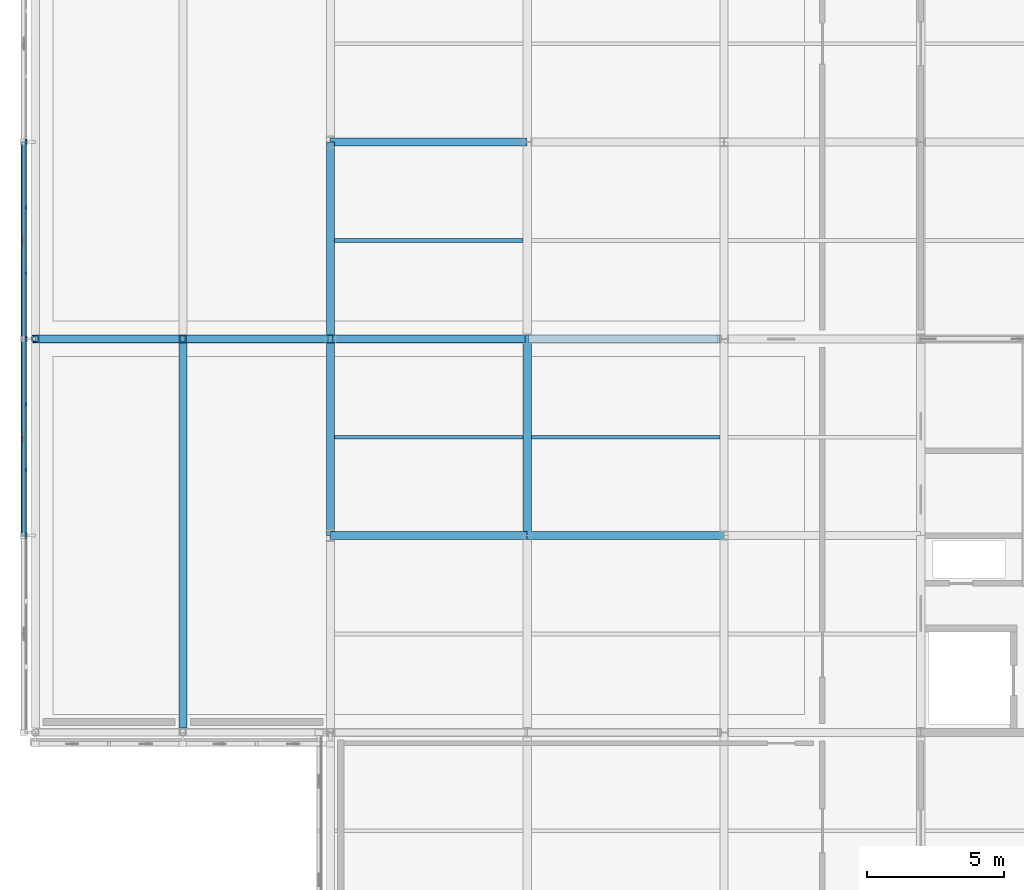
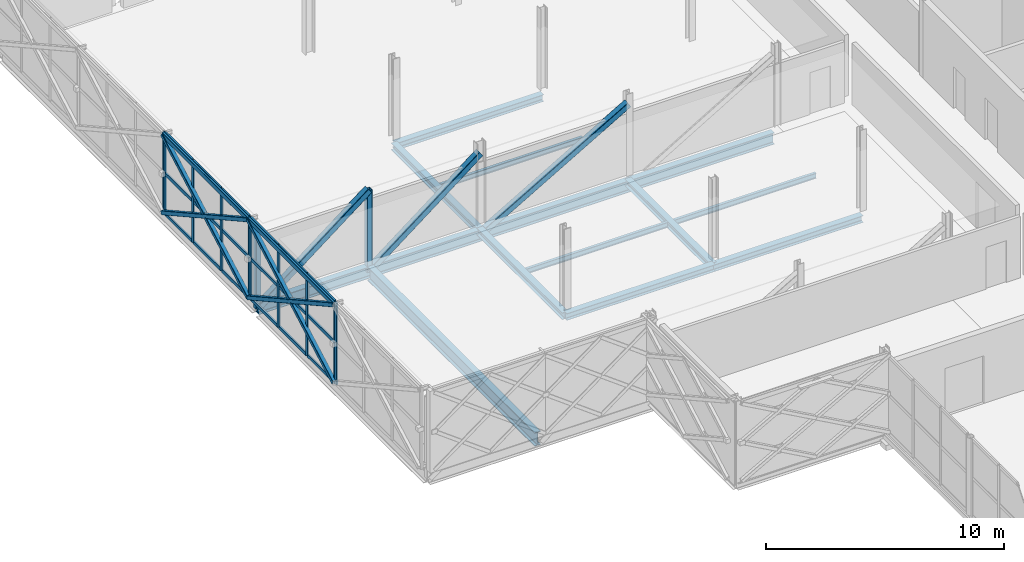
# One storey, part 40 of 126: 41 members, 11 beams, 4 elements without a shape of their own.
"""IFC4 building model written with IfcOpenShell, lengths in metres."""

from ifc_helpers import new_model, si_unit, direction, frame, origin, origin_2d, place, context, subcontext, project, spatial, rectangle, hollow_rectangle, i_section, extrude, material, material_profile, profile_set, type_object, element, aggregate, save


model = new_model("IFC4")

# Units and contexts
model_context = context("Model", 3, precision=1e-05, world=origin(), true_north=direction((0.0, 1.0)))
body_context = subcontext(model_context, "Body", "Model", "MODEL_VIEW")
ifc_project = project(units=[si_unit("LENGTHUNIT", "METRE"), si_unit("AREAUNIT", "SQUARE_METRE"), si_unit("VOLUMEUNIT", "CUBIC_METRE"), si_unit("PLANEANGLEUNIT", "RADIAN"), si_unit("MASSUNIT", "GRAM", prefix="KILO")], contexts=[model_context])

# Site, building, storey
site_placement = place(None, origin())
site = spatial("IfcSite", under=ifc_project, at=site_placement, CompositionType="ELEMENT")
building_placement = place(site_placement, origin())
building = spatial("IfcBuilding", under=site, at=building_placement, Name="Zlatovets Crest Museum", CompositionType="ELEMENT")
storey_placement = place(building_placement, frame((0.0, 0.0, 8.699951171875)))
storey = spatial("IfcBuildingStorey", under=building, at=storey_placement, Name="L02", CompositionType="ELEMENT", Elevation=8.699951171875)

# Beams
ifc_material_1 = material(Name="Structural steel S355J2", Category="steel")
ifc_material_profile_1 = material_profile(ifc_material_1, i_section(OverallWidth=0.300048828125, OverallDepth=0.35009765625, WebThickness=0.010009765625, FlangeThickness=0.017578125, FilletRadius=0.027099609375, at=origin_2d()), Name="HEA 360")
ifc_profile_set_1 = profile_set([ifc_material_profile_1], Name="Structural steel S355J2")
beam_type_1 = type_object("IfcBeamType", Name="Beam_B-03", PredefinedType="BEAM", material=ifc_profile_set_1)
beam_1_placement = place(storey_placement, frame((7.199951171875, 64.800048828125, -0.39501953125), z_axis=(1.0, 0.0, 0.0), x_axis=(0.0, 1.0, 0.0)))
element("IfcBeam", 1, at=beam_1_placement, inside=storey, type_object=beam_type_1, Name="V4 L02 Primary Girder B-03", PredefinedType="BEAM", context=body_context, shape_type="SweptSolid", body=[
    extrude(i_section(OverallWidth=0.300048828125, OverallDepth=0.35009765625, WebThickness=0.010009765625, FlangeThickness=0.017578125, FilletRadius=0.027099609375, at=origin_2d()), origin(), (0.0, 0.0, 1.0), 7.199951171875),
])
beam_2_placement = place(storey_placement, frame((14.39990234375, 64.800048828125, -0.39501953125), z_axis=(1.0, 0.0, 0.0), x_axis=(0.0, 1.0, 0.0)))
element("IfcBeam", 2, at=beam_2_placement, inside=storey, type_object=beam_type_1, Name="V4 L02 Primary Girder B-03", PredefinedType="BEAM", context=body_context, shape_type="SweptSolid", body=[
    extrude(i_section(OverallWidth=0.300048828125, OverallDepth=0.35009765625, WebThickness=0.010009765625, FlangeThickness=0.017578125, FilletRadius=0.027099609375, at=origin_2d()), origin(), (0.0, 0.0, 1.0), 7.2001953125),
])
for number, where, z_axis, x_axis, name in (
    (3, (7.199951171875, 79.199951171875, -0.39501953125), (1.0, 0.0, 0.0), (0.0, 1.0, 0.0), "V4 L02 Primary Girder B-03"),
    (4, (7.199951171875, 64.800048828125, -0.39501953125), (0.0, 1.0, 0.0), (-1.0, 0.0, 0.0), "V4 L02 Grid Beam B-03"),
    (5, (7.199951171875, 72.0, -0.39501953125), (0.0, 1.0, 0.0), (-1.0, 0.0, 0.0), "V4 L02 Grid Beam B-03"),
    (6, (14.39990234375, 64.800048828125, -0.39501953125), (0.0, 1.0, 0.0), (-1.0, 0.0, 0.0), "V4 L02 Grid Beam B-03"),
):
    element("IfcBeam", number, at=place(storey_placement, frame(where, z_axis=z_axis, x_axis=x_axis)), inside=storey, type_object=beam_type_1, Name=name, PredefinedType="BEAM", context=body_context, shape_type="SweptSolid", body=[
        extrude(i_section(OverallWidth=0.300048828125, OverallDepth=0.35009765625, WebThickness=0.010009765625, FlangeThickness=0.017578125, FilletRadius=0.027099609375, at=origin_2d()), origin(), (0.0, 0.0, 1.0), 7.199951171875),
    ])
ifc_material_profile_2 = material_profile(ifc_material_1, i_section(OverallWidth=0.300048828125, OverallDepth=0.590087890625, WebThickness=0.012939453125, FlangeThickness=0.02490234375, FilletRadius=0.027099609375, at=origin_2d()), Name="HEA 600")
ifc_profile_set_2 = profile_set([ifc_material_profile_2], Name="Structural steel S355J2")
beam_type_2 = type_object("IfcBeamType", Name="Beam_B-07", PredefinedType="BEAM", material=ifc_profile_set_2)
beam_3_placement = place(storey_placement, frame((-3.60009765625, 72.0, -0.570068359375), z_axis=(1.0, 0.0, 0.0), x_axis=(0.0, 1.0, 0.0)))
element("IfcBeam", 7, at=beam_3_placement, inside=storey, type_object=beam_type_2, Name="Cantilever Transfer Truss TT-2 L02 Bottom Chord", PredefinedType="BEAM", context=body_context, shape_type="SweptSolid", body=[
    extrude(i_section(OverallWidth=0.300048828125, OverallDepth=0.590087890625, WebThickness=0.012939453125, FlangeThickness=0.02490234375, FilletRadius=0.027099609375, at=origin_2d()), origin(), (0.0, 0.0, 1.0), 25.0400390625),
])
ifc_material_profile_3 = material_profile(ifc_material_1, i_section(OverallWidth=0.300048828125, OverallDepth=0.699951171875, WebThickness=0.01708984375, FlangeThickness=0.031982421875, FilletRadius=0.027099609375, at=origin_2d()), Name="HEB 700")
ifc_profile_set_3 = profile_set([ifc_material_profile_3], Name="Structural steel S355J2")
beam_type_3 = type_object("IfcBeamType", Name="Beam_B-08", PredefinedType="BEAM", material=ifc_profile_set_3)
beam_4_placement = place(storey_placement, frame((1.800048828125, 57.760009765625, -0.570068359375), z_axis=(0.0, 1.0, 0.0), x_axis=(-1.0, 0.0, 0.0)))
element("IfcBeam", 8, at=beam_4_placement, inside=storey, type_object=beam_type_3, Name="Cantilever Gallery L02 Floor Beam B-08", PredefinedType="BEAM", context=body_context, shape_type="SweptSolid", body=[
    extrude(i_section(OverallWidth=0.300048828125, OverallDepth=0.699951171875, WebThickness=0.01708984375, FlangeThickness=0.031982421875, FilletRadius=0.027099609375, at=origin_2d()), origin(), (0.0, 0.0, 1.0), 14.080078125),
])
ifc_material_profile_4 = material_profile(ifc_material_1, i_section(OverallWidth=0.135009765625, OverallDepth=0.27001953125, WebThickness=0.006591796875, FlangeThickness=0.01025390625, FilletRadius=0.014892578125, at=origin_2d()), Name="IPE 270")
ifc_profile_set_4 = profile_set([ifc_material_profile_4], Name="Structural steel S355J2")
beam_type_4 = type_object("IfcBeamType", Name="Beam_J-03", PredefinedType="JOIST", material=ifc_profile_set_4)
for number, where, z_axis, x_axis, name in (
    (9, (7.35009765625, 68.39990234375, -0.35498046875), (1.0, 0.0, 0.0), (0.0, 1.0, 0.0), "V4 L02 Composite Joist J-03"),
    (10, (7.35009765625, 75.60009765625, -0.35498046875), (1.0, 0.0, 0.0), (0.0, 1.0, 0.0), "V4 L02 Composite Joist J-03"),
    (11, (14.550048828125, 68.39990234375, -0.35498046875), (1.0, 0.0, 0.0), (0.0, 1.0, 0.0), "V4 L02 Composite Joist J-03"),
):
    element("IfcBeam", number, at=place(storey_placement, frame(where, z_axis=z_axis, x_axis=x_axis)), inside=storey, type_object=beam_type_4, Name=name, PredefinedType="JOIST", context=body_context, shape_type="SweptSolid", body=[
        extrude(i_section(OverallWidth=0.135009765625, OverallDepth=0.27001953125, WebThickness=0.006591796875, FlangeThickness=0.01025390625, FilletRadius=0.014892578125, at=origin_2d()), origin(), (0.0, 0.0, 1.0), 6.89990234375),
    ])

# Curtain wall, member
ifc_material_2 = material(Name="Bronze-anodised aluminium and low-E triple glass", Category="aluminium")
curtain_wall_type_1 = type_object("IfcCurtainWallType", Name="CW_CW-V4-L02-M3", PredefinedType="NOTDEFINED", material=ifc_material_2)
curtain_wall_1_placement = place(storey_placement, origin())
curtain_wall_1 = element("IfcCurtainWall", 12, at=curtain_wall_1_placement, inside=storey, type_object=curtain_wall_type_1, Name="V4 L02 Secession Foyer Clear Curtain Wall", PredefinedType="NOTDEFINED")
ifc_material_3 = material(Name="Bronze-anodised aluminium EN AW-6060", Category="aluminium")
ifc_material_profile_5 = material_profile(ifc_material_3, rectangle(XDim=0.080078125, YDim=0.159912109375, at=origin_2d()), Name="ALU 80x160")
ifc_profile_set_5 = profile_set([ifc_material_profile_5], Name="Bronze-anodised aluminium EN AW-6060")
member_type_1 = type_object("IfcMemberType", Name="CWMull_M1", PredefinedType="MULLION", material=ifc_profile_set_5)
member_1_placement = place(storey_placement, frame((-3.93994140625, 79.22998046875, 0.0), z_axis=(0.0, 0.0, 1.0), x_axis=(1.0, 0.0, 0.0)))
member_1 = element("IfcMember", 13, at=member_1_placement, type_object=member_type_1, Name="CW-V4-L02-M3 mullion 4", PredefinedType="MULLION", context=body_context, shape_type="SweptSolid", body=[
    extrude(rectangle(XDim=0.080078125, YDim=0.159912109375, at=origin_2d()), origin(), (0.0, 0.0, 1.0), 4.199951171875),
])
aggregate(curtain_wall_1, [member_1])

# Curtain wall, members
curtain_wall_type_2 = type_object("IfcCurtainWallType", Name="CW_CW-V4-L02-M0", PredefinedType="NOTDEFINED", material=ifc_material_2)
curtain_wall_2_placement = place(storey_placement, origin())
curtain_wall_2 = element("IfcCurtainWall", 14, at=curtain_wall_2_placement, inside=storey, type_object=curtain_wall_type_2, Name="V4 L02 Secession Foyer Clear Curtain Wall", PredefinedType="NOTDEFINED")
member_2_placement = place(storey_placement, frame((-3.93994140625, 79.169921875, 0.0), z_axis=(0.0, 0.0, 1.0), x_axis=(1.0, 0.0, 0.0)))
member_2 = element("IfcMember", 15, at=member_2_placement, type_object=member_type_1, Name="CW-V4-L02-M0 mullion 1", PredefinedType="MULLION", context=body_context, shape_type="SweptSolid", body=[
    extrude(rectangle(XDim=0.080078125, YDim=0.159912109375, at=origin_2d()), origin(), (0.0, 0.0, 1.0), 4.199951171875),
])
member_3_placement = place(storey_placement, frame((-3.93994140625, 76.800048828125, 0.0), z_axis=(0.0, 0.0, 1.0), x_axis=(1.0, 0.0, 0.0)))
member_3 = element("IfcMember", 16, at=member_3_placement, type_object=member_type_1, Name="CW-V4-L02-M0 mullion 2", PredefinedType="MULLION", context=body_context, shape_type="SweptSolid", body=[
    extrude(rectangle(XDim=0.080078125, YDim=0.159912109375, at=origin_2d()), origin(), (0.0, 0.0, 1.0), 4.199951171875),
])
member_4_placement = place(storey_placement, frame((-3.93994140625, 74.39990234375, 0.0), z_axis=(0.0, 0.0, 1.0), x_axis=(1.0, 0.0, 0.0)))
member_4 = element("IfcMember", 17, at=member_4_placement, type_object=member_type_1, Name="CW-V4-L02-M0 mullion 3", PredefinedType="MULLION", context=body_context, shape_type="SweptSolid", body=[
    extrude(rectangle(XDim=0.080078125, YDim=0.159912109375, at=origin_2d()), origin(), (0.0, 0.0, 1.0), 4.199951171875),
])
member_5_placement = place(storey_placement, frame((-3.93994140625, 72.030029296875, 0.0), z_axis=(0.0, 0.0, 1.0), x_axis=(1.0, 0.0, 0.0)))
member_5 = element("IfcMember", 18, at=member_5_placement, type_object=member_type_1, Name="CW-V4-L02-M0 mullion 4", PredefinedType="MULLION", context=body_context, shape_type="SweptSolid", body=[
    extrude(rectangle(XDim=0.080078125, YDim=0.159912109375, at=origin_2d()), origin(), (0.0, 0.0, 1.0), 4.199951171875),
])

curtain_wall_type_3 = type_object("IfcCurtainWallType", Name="CW_CW-V4-L02-M1", PredefinedType="NOTDEFINED", material=ifc_material_2)
curtain_wall_3_placement = place(storey_placement, origin())
curtain_wall_3 = element("IfcCurtainWall", 19, at=curtain_wall_3_placement, inside=storey, type_object=curtain_wall_type_3, Name="V4 L02 Secession Foyer Clear Curtain Wall", PredefinedType="NOTDEFINED")
member_6_placement = place(storey_placement, frame((-3.93994140625, 71.969970703125, 0.0), z_axis=(0.0, 0.0, 1.0), x_axis=(1.0, 0.0, 0.0)))
member_6 = element("IfcMember", 20, at=member_6_placement, type_object=member_type_1, Name="CW-V4-L02-M1 mullion 1", PredefinedType="MULLION", context=body_context, shape_type="SweptSolid", body=[
    extrude(rectangle(XDim=0.080078125, YDim=0.159912109375, at=origin_2d()), origin(), (0.0, 0.0, 1.0), 4.199951171875),
])
member_7_placement = place(storey_placement, frame((-3.93994140625, 69.60009765625, 0.0), z_axis=(0.0, 0.0, 1.0), x_axis=(1.0, 0.0, 0.0)))
member_7 = element("IfcMember", 21, at=member_7_placement, type_object=member_type_1, Name="CW-V4-L02-M1 mullion 2", PredefinedType="MULLION", context=body_context, shape_type="SweptSolid", body=[
    extrude(rectangle(XDim=0.080078125, YDim=0.159912109375, at=origin_2d()), origin(), (0.0, 0.0, 1.0), 4.199951171875),
])
member_8_placement = place(storey_placement, frame((-3.93994140625, 67.199951171875, 0.0), z_axis=(0.0, 0.0, 1.0), x_axis=(1.0, 0.0, 0.0)))
member_8 = element("IfcMember", 22, at=member_8_placement, type_object=member_type_1, Name="CW-V4-L02-M1 mullion 3", PredefinedType="MULLION", context=body_context, shape_type="SweptSolid", body=[
    extrude(rectangle(XDim=0.080078125, YDim=0.159912109375, at=origin_2d()), origin(), (0.0, 0.0, 1.0), 4.199951171875),
])
member_9_placement = place(storey_placement, frame((-3.93994140625, 64.830078125, 0.0), z_axis=(0.0, 0.0, 1.0), x_axis=(1.0, 0.0, 0.0)))
member_9 = element("IfcMember", 23, at=member_9_placement, type_object=member_type_1, Name="CW-V4-L02-M1 mullion 4", PredefinedType="MULLION", context=body_context, shape_type="SweptSolid", body=[
    extrude(rectangle(XDim=0.080078125, YDim=0.159912109375, at=origin_2d()), origin(), (0.0, 0.0, 1.0), 4.199951171875),
])

# Curtain wall, member
curtain_wall_type_4 = type_object("IfcCurtainWallType", Name="CW_CW-V4-L02-M2", PredefinedType="NOTDEFINED", material=ifc_material_2)
curtain_wall_4_placement = place(storey_placement, origin())
curtain_wall_4 = element("IfcCurtainWall", 24, at=curtain_wall_4_placement, inside=storey, type_object=curtain_wall_type_4, Name="V4 L02 Secession Foyer Clear Curtain Wall", PredefinedType="NOTDEFINED")
member_10_placement = place(storey_placement, frame((-3.93994140625, 64.77001953125, 0.0), z_axis=(0.0, 0.0, 1.0), x_axis=(1.0, 0.0, 0.0)))
member_10 = element("IfcMember", 25, at=member_10_placement, type_object=member_type_1, Name="CW-V4-L02-M2 mullion 1", PredefinedType="MULLION", context=body_context, shape_type="SweptSolid", body=[
    extrude(rectangle(XDim=0.080078125, YDim=0.159912109375, at=origin_2d()), origin(), (0.0, 0.0, 1.0), 4.199951171875),
])
aggregate(curtain_wall_4, [member_10])

# Member
ifc_material_profile_6 = material_profile(ifc_material_3, rectangle(XDim=0.080078125, YDim=0.159912109375, at=origin_2d()), Name="ALU 80x160")
ifc_profile_set_6 = profile_set([ifc_material_profile_6], Name="Bronze-anodised aluminium EN AW-6060")
member_type_2 = type_object("IfcMemberType", Name="CWTrans_T1", PredefinedType="USERDEFINED", material=ifc_profile_set_6)
member_11_placement = place(storey_placement, frame((-3.93994140625, 79.139892578125, 0.030029296875), z_axis=(0.0, -1.0, 0.0), x_axis=(1.0, 0.0, 0.0)))
member_11 = element("IfcMember", 26, at=member_11_placement, type_object=member_type_2, Name="CW-V4-L02-M0 transom 1.1", ObjectType="TRANSOM", PredefinedType="USERDEFINED", context=body_context, shape_type="SweptSolid", body=[
    extrude(rectangle(XDim=0.080078125, YDim=0.159912109375, at=origin_2d()), origin(), (0.0, 0.0, 1.0), 2.309814453125),
])

member_12_placement = place(storey_placement, frame((-3.93994140625, 79.139892578125, 2.10009765625), z_axis=(0.0, -1.0, 0.0), x_axis=(1.0, 0.0, 0.0)))
member_12 = element("IfcMember", 27, at=member_12_placement, type_object=member_type_2, Name="CW-V4-L02-M0 transom 1.2", ObjectType="TRANSOM", PredefinedType="USERDEFINED", context=body_context, shape_type="SweptSolid", body=[
    extrude(rectangle(XDim=0.080078125, YDim=0.159912109375, at=origin_2d()), origin(), (0.0, 0.0, 1.0), 2.309814453125),
])

member_13_placement = place(storey_placement, frame((-3.93994140625, 79.139892578125, 4.170166015625), z_axis=(0.0, -1.0, 0.0), x_axis=(1.0, 0.0, 0.0)))
member_13 = element("IfcMember", 28, at=member_13_placement, type_object=member_type_2, Name="CW-V4-L02-M0 transom 1.3", ObjectType="TRANSOM", PredefinedType="USERDEFINED", context=body_context, shape_type="SweptSolid", body=[
    extrude(rectangle(XDim=0.080078125, YDim=0.159912109375, at=origin_2d()), origin(), (0.0, 0.0, 1.0), 2.309814453125),
])

member_14_placement = place(storey_placement, frame((-3.93994140625, 76.77001953125, 0.030029296875), z_axis=(0.0, -1.0, 0.0), x_axis=(1.0, 0.0, 0.0)))
member_14 = element("IfcMember", 29, at=member_14_placement, type_object=member_type_2, Name="CW-V4-L02-M0 transom 2.1", ObjectType="TRANSOM", PredefinedType="USERDEFINED", context=body_context, shape_type="SweptSolid", body=[
    extrude(rectangle(XDim=0.080078125, YDim=0.159912109375, at=origin_2d()), origin(), (0.0, 0.0, 1.0), 2.340087890625),
])

member_15_placement = place(storey_placement, frame((-3.93994140625, 76.77001953125, 2.10009765625), z_axis=(0.0, -1.0, 0.0), x_axis=(1.0, 0.0, 0.0)))
member_15 = element("IfcMember", 30, at=member_15_placement, type_object=member_type_2, Name="CW-V4-L02-M0 transom 2.2", ObjectType="TRANSOM", PredefinedType="USERDEFINED", context=body_context, shape_type="SweptSolid", body=[
    extrude(rectangle(XDim=0.080078125, YDim=0.159912109375, at=origin_2d()), origin(), (0.0, 0.0, 1.0), 2.340087890625),
])

member_16_placement = place(storey_placement, frame((-3.93994140625, 76.77001953125, 4.170166015625), z_axis=(0.0, -1.0, 0.0), x_axis=(1.0, 0.0, 0.0)))
member_16 = element("IfcMember", 31, at=member_16_placement, type_object=member_type_2, Name="CW-V4-L02-M0 transom 2.3", ObjectType="TRANSOM", PredefinedType="USERDEFINED", context=body_context, shape_type="SweptSolid", body=[
    extrude(rectangle(XDim=0.080078125, YDim=0.159912109375, at=origin_2d()), origin(), (0.0, 0.0, 1.0), 2.340087890625),
])

member_17_placement = place(storey_placement, frame((-3.93994140625, 74.3701171875, 0.030029296875), z_axis=(0.0, -1.0, 0.0), x_axis=(1.0, 0.0, 0.0)))
member_17 = element("IfcMember", 32, at=member_17_placement, type_object=member_type_2, Name="CW-V4-L02-M0 transom 3.1", ObjectType="TRANSOM", PredefinedType="USERDEFINED", context=body_context, shape_type="SweptSolid", body=[
    extrude(rectangle(XDim=0.080078125, YDim=0.159912109375, at=origin_2d()), origin(), (0.0, 0.0, 1.0), 2.31005859375),
])

member_18_placement = place(storey_placement, frame((-3.93994140625, 74.3701171875, 2.10009765625), z_axis=(0.0, -1.0, 0.0), x_axis=(1.0, 0.0, 0.0)))
member_18 = element("IfcMember", 33, at=member_18_placement, type_object=member_type_2, Name="CW-V4-L02-M0 transom 3.2", ObjectType="TRANSOM", PredefinedType="USERDEFINED", context=body_context, shape_type="SweptSolid", body=[
    extrude(rectangle(XDim=0.080078125, YDim=0.159912109375, at=origin_2d()), origin(), (0.0, 0.0, 1.0), 2.31005859375),
])

member_19_placement = place(storey_placement, frame((-3.93994140625, 74.3701171875, 4.170166015625), z_axis=(0.0, -1.0, 0.0), x_axis=(1.0, 0.0, 0.0)))
member_19 = element("IfcMember", 34, at=member_19_placement, type_object=member_type_2, Name="CW-V4-L02-M0 transom 3.3", ObjectType="TRANSOM", PredefinedType="USERDEFINED", context=body_context, shape_type="SweptSolid", body=[
    extrude(rectangle(XDim=0.080078125, YDim=0.159912109375, at=origin_2d()), origin(), (0.0, 0.0, 1.0), 2.31005859375),
])

aggregate(curtain_wall_2, [member_2, member_3, member_4, member_5, member_11, member_12, member_13, member_14, member_15, member_16, member_17, member_18, member_19])

member_20_placement = place(storey_placement, frame((-3.93994140625, 71.93994140625, 0.030029296875), z_axis=(0.0, -1.0, 0.0), x_axis=(1.0, 0.0, 0.0)))
member_20 = element("IfcMember", 35, at=member_20_placement, type_object=member_type_2, Name="CW-V4-L02-M1 transom 1.1", ObjectType="TRANSOM", PredefinedType="USERDEFINED", context=body_context, shape_type="SweptSolid", body=[
    extrude(rectangle(XDim=0.080078125, YDim=0.159912109375, at=origin_2d()), origin(), (0.0, 0.0, 1.0), 2.31005859375),
])

member_21_placement = place(storey_placement, frame((-3.93994140625, 71.93994140625, 2.10009765625), z_axis=(0.0, -1.0, 0.0), x_axis=(1.0, 0.0, 0.0)))
member_21 = element("IfcMember", 36, at=member_21_placement, type_object=member_type_2, Name="CW-V4-L02-M1 transom 1.2", ObjectType="TRANSOM", PredefinedType="USERDEFINED", context=body_context, shape_type="SweptSolid", body=[
    extrude(rectangle(XDim=0.080078125, YDim=0.159912109375, at=origin_2d()), origin(), (0.0, 0.0, 1.0), 2.31005859375),
])

member_22_placement = place(storey_placement, frame((-3.93994140625, 71.93994140625, 4.170166015625), z_axis=(0.0, -1.0, 0.0), x_axis=(1.0, 0.0, 0.0)))
member_22 = element("IfcMember", 37, at=member_22_placement, type_object=member_type_2, Name="CW-V4-L02-M1 transom 1.3", ObjectType="TRANSOM", PredefinedType="USERDEFINED", context=body_context, shape_type="SweptSolid", body=[
    extrude(rectangle(XDim=0.080078125, YDim=0.159912109375, at=origin_2d()), origin(), (0.0, 0.0, 1.0), 2.31005859375),
])

member_23_placement = place(storey_placement, frame((-3.93994140625, 69.570068359375, 0.030029296875), z_axis=(0.0, -1.0, 0.0), x_axis=(1.0, 0.0, 0.0)))
member_23 = element("IfcMember", 38, at=member_23_placement, type_object=member_type_2, Name="CW-V4-L02-M1 transom 2.1", ObjectType="TRANSOM", PredefinedType="USERDEFINED", context=body_context, shape_type="SweptSolid", body=[
    extrude(rectangle(XDim=0.080078125, YDim=0.159912109375, at=origin_2d()), origin(), (0.0, 0.0, 1.0), 2.340087890625),
])

member_24_placement = place(storey_placement, frame((-3.93994140625, 69.570068359375, 2.10009765625), z_axis=(0.0, -1.0, 0.0), x_axis=(1.0, 0.0, 0.0)))
member_24 = element("IfcMember", 39, at=member_24_placement, type_object=member_type_2, Name="CW-V4-L02-M1 transom 2.2", ObjectType="TRANSOM", PredefinedType="USERDEFINED", context=body_context, shape_type="SweptSolid", body=[
    extrude(rectangle(XDim=0.080078125, YDim=0.159912109375, at=origin_2d()), origin(), (0.0, 0.0, 1.0), 2.340087890625),
])

member_25_placement = place(storey_placement, frame((-3.93994140625, 69.570068359375, 4.170166015625), z_axis=(0.0, -1.0, 0.0), x_axis=(1.0, 0.0, 0.0)))
member_25 = element("IfcMember", 40, at=member_25_placement, type_object=member_type_2, Name="CW-V4-L02-M1 transom 2.3", ObjectType="TRANSOM", PredefinedType="USERDEFINED", context=body_context, shape_type="SweptSolid", body=[
    extrude(rectangle(XDim=0.080078125, YDim=0.159912109375, at=origin_2d()), origin(), (0.0, 0.0, 1.0), 2.340087890625),
])

member_26_placement = place(storey_placement, frame((-3.93994140625, 67.169921875, 0.030029296875), z_axis=(0.0, -1.0, 0.0), x_axis=(1.0, 0.0, 0.0)))
member_26 = element("IfcMember", 41, at=member_26_placement, type_object=member_type_2, Name="CW-V4-L02-M1 transom 3.1", ObjectType="TRANSOM", PredefinedType="USERDEFINED", context=body_context, shape_type="SweptSolid", body=[
    extrude(rectangle(XDim=0.080078125, YDim=0.159912109375, at=origin_2d()), origin(), (0.0, 0.0, 1.0), 2.309814453125),
])

member_27_placement = place(storey_placement, frame((-3.93994140625, 67.169921875, 2.10009765625), z_axis=(0.0, -1.0, 0.0), x_axis=(1.0, 0.0, 0.0)))
member_27 = element("IfcMember", 42, at=member_27_placement, type_object=member_type_2, Name="CW-V4-L02-M1 transom 3.2", ObjectType="TRANSOM", PredefinedType="USERDEFINED", context=body_context, shape_type="SweptSolid", body=[
    extrude(rectangle(XDim=0.080078125, YDim=0.159912109375, at=origin_2d()), origin(), (0.0, 0.0, 1.0), 2.309814453125),
])

member_28_placement = place(storey_placement, frame((-3.93994140625, 67.169921875, 4.170166015625), z_axis=(0.0, -1.0, 0.0), x_axis=(1.0, 0.0, 0.0)))
member_28 = element("IfcMember", 43, at=member_28_placement, type_object=member_type_2, Name="CW-V4-L02-M1 transom 3.3", ObjectType="TRANSOM", PredefinedType="USERDEFINED", context=body_context, shape_type="SweptSolid", body=[
    extrude(rectangle(XDim=0.080078125, YDim=0.159912109375, at=origin_2d()), origin(), (0.0, 0.0, 1.0), 2.309814453125),
])

aggregate(curtain_wall_3, [member_6, member_7, member_8, member_9, member_20, member_21, member_22, member_23, member_24, member_25, member_26, member_27, member_28])

# Members
ifc_material_4 = material(Name="Weathering bronze-steel S355J2W", Category="steel")
ifc_material_profile_7 = material_profile(ifc_material_4, hollow_rectangle(XDim=0.199951171875, YDim=0.199951171875, WallThickness=0.012451171875, InnerFilletRadius=0.012451171875, OuterFilletRadius=0.02490234375, at=origin_2d()), Name="SHS 200x200x12.5")
ifc_profile_set_7 = profile_set([ifc_material_profile_7], Name="Weathering bronze-steel S355J2W")
member_type_3 = type_object("IfcMemberType", Name="Lattice_XL-02", PredefinedType="BRACE", material=ifc_profile_set_7)
member_29_placement = place(storey_placement, frame((-4.02001953125, 79.199951171875, 0.10009765625), z_axis=(0.0, -0.874155877937, 0.485645447903), x_axis=(1.0, 0.0, 0.0)))
element("IfcMember", 44, at=member_29_placement, inside=storey, type_object=member_type_3, Name="Continuous Bronze Lattice Diagonal", PredefinedType="BRACE", context=body_context, shape_type="SweptSolid", body=[
    extrude(hollow_rectangle(XDim=0.199951171875, YDim=0.199951171875, WallThickness=0.012451171875, InnerFilletRadius=0.012451171875, OuterFilletRadius=0.02490234375, at=origin_2d()), origin(), (0.0, 0.0, 1.0), 8.236572265625),
])
member_30_placement = place(storey_placement, frame((-4.02001953125, 79.199951171875, 4.10009765625), z_axis=(0.0, -0.874151551165, -0.485653235958), x_axis=(1.0, 0.0, 0.0)))
element("IfcMember", 45, at=member_30_placement, inside=storey, type_object=member_type_3, Name="Split Crossing Bronze Lattice Diagonal Upper", PredefinedType="BRACE", context=body_context, shape_type="SweptSolid", body=[
    extrude(hollow_rectangle(XDim=0.199951171875, YDim=0.199951171875, WallThickness=0.012451171875, InnerFilletRadius=0.012451171875, OuterFilletRadius=0.02490234375, at=origin_2d()), origin(), (0.0, 0.0, 1.0), 4.023193359375),
])
member_31_placement = place(storey_placement, frame((-4.02001953125, 75.51708984375, 2.053955078125), z_axis=(0.0, -0.874165862873, -0.485627474703), x_axis=(1.0, 0.0, 0.0)))
element("IfcMember", 46, at=member_31_placement, inside=storey, type_object=member_type_3, Name="Split Crossing Bronze Lattice Diagonal Lower", PredefinedType="BRACE", context=body_context, shape_type="SweptSolid", body=[
    extrude(hollow_rectangle(XDim=0.199951171875, YDim=0.199951171875, WallThickness=0.012451171875, InnerFilletRadius=0.012451171875, OuterFilletRadius=0.02490234375, at=origin_2d()), origin(), (0.0, 0.0, 1.0), 4.0234375),
])
member_32_placement = place(storey_placement, frame((-4.02001953125, 72.0, 0.10009765625), z_axis=(0.0, -0.874155877937, 0.485645447903), x_axis=(1.0, 0.0, 0.0)))
element("IfcMember", 47, at=member_32_placement, inside=storey, type_object=member_type_3, Name="Continuous Bronze Lattice Diagonal", PredefinedType="BRACE", context=body_context, shape_type="SweptSolid", body=[
    extrude(hollow_rectangle(XDim=0.199951171875, YDim=0.199951171875, WallThickness=0.012451171875, InnerFilletRadius=0.012451171875, OuterFilletRadius=0.02490234375, at=origin_2d()), origin(), (0.0, 0.0, 1.0), 8.236572265625),
])
member_33_placement = place(storey_placement, frame((-4.02001953125, 72.0, 4.10009765625), z_axis=(0.0, -0.874165862873, -0.485627474703), x_axis=(1.0, 0.0, 0.0)))
element("IfcMember", 48, at=member_33_placement, inside=storey, type_object=member_type_3, Name="Split Crossing Bronze Lattice Diagonal Upper", PredefinedType="BRACE", context=body_context, shape_type="SweptSolid", body=[
    extrude(hollow_rectangle(XDim=0.199951171875, YDim=0.199951171875, WallThickness=0.012451171875, InnerFilletRadius=0.012451171875, OuterFilletRadius=0.02490234375, at=origin_2d()), origin(), (0.0, 0.0, 1.0), 4.0234375),
])
member_34_placement = place(storey_placement, frame((-4.02001953125, 68.31689453125, 2.053955078125), z_axis=(0.0, -0.874151551165, -0.485653235958), x_axis=(1.0, 0.0, 0.0)))
element("IfcMember", 49, at=member_34_placement, inside=storey, type_object=member_type_3, Name="Split Crossing Bronze Lattice Diagonal Lower", PredefinedType="BRACE", context=body_context, shape_type="SweptSolid", body=[
    extrude(hollow_rectangle(XDim=0.199951171875, YDim=0.199951171875, WallThickness=0.012451171875, InnerFilletRadius=0.012451171875, OuterFilletRadius=0.02490234375, at=origin_2d()), origin(), (0.0, 0.0, 1.0), 4.023193359375),
])
ifc_material_profile_8 = material_profile(ifc_material_4, hollow_rectangle(XDim=0.1201171875, YDim=0.239990234375, WallThickness=0.010009765625, InnerFilletRadius=0.010009765625, OuterFilletRadius=0.02001953125, at=origin_2d()), Name="RHS 120x240x10.0")
ifc_profile_set_8 = profile_set([ifc_material_profile_8], Name="Weathering bronze-steel S355J2W")
member_type_4 = type_object("IfcMemberType", Name="Lattice_XL-04", PredefinedType="CHORD", material=ifc_profile_set_8)
for number, where, z_axis, x_axis, name in (
    (50, (-4.02001953125, 79.199951171875, 4.10009765625), (0.0, -1.0, 0.0), (1.0, 0.0, 0.0), "Art Nouveau Woven Cage Collector Ring Chord"),
    (51, (-4.02001953125, 72.0, 4.10009765625), (0.0, -1.0, 0.0), (1.0, 0.0, 0.0), "Art Nouveau Woven Cage Collector Ring Chord"),
):
    element("IfcMember", number, at=place(storey_placement, frame(where, z_axis=z_axis, x_axis=x_axis)), inside=storey, type_object=member_type_4, Name=name, PredefinedType="CHORD", context=body_context, shape_type="SweptSolid", body=[
        extrude(hollow_rectangle(XDim=0.1201171875, YDim=0.239990234375, WallThickness=0.010009765625, InnerFilletRadius=0.010009765625, OuterFilletRadius=0.02001953125, at=origin_2d()), origin(), (0.0, 0.0, 1.0), 7.199951171875),
    ])
ifc_material_profile_9 = material_profile(ifc_material_1, hollow_rectangle(XDim=0.25, YDim=0.25, WallThickness=0.012451171875, InnerFilletRadius=0.012451171875, OuterFilletRadius=0.02490234375, at=origin_2d()), Name="SHS 250x250x12.5")
ifc_profile_set_9 = profile_set([ifc_material_profile_9], Name="Structural steel S355J2")
member_type_5 = type_object("IfcMemberType", Name="Member_TM-07", PredefinedType="CHORD", material=ifc_profile_set_9)
for number, where, z_axis, x_axis, name in (
    (52, (-3.60009765625, 72.0, -0.570068359375), (0.0, 0.0, 1.0), (1.0, 0.0, 0.0), "Transfer Truss TT-2 Lower Vertical Post"),
    (53, (1.800048828125, 72.0, -0.570068359375), (0.0, 0.0, 1.0), (1.0, 0.0, 0.0), "Transfer Truss TT-2 Lower Vertical Post"),
):
    element("IfcMember", number, at=place(storey_placement, frame(where, z_axis=z_axis, x_axis=x_axis)), inside=storey, type_object=member_type_5, Name=name, PredefinedType="CHORD", context=body_context, shape_type="SweptSolid", body=[
        extrude(hollow_rectangle(XDim=0.25, YDim=0.25, WallThickness=0.012451171875, InnerFilletRadius=0.012451171875, OuterFilletRadius=0.02490234375, at=origin_2d()), origin(), (0.0, 0.0, 1.0), 4.18017578125),
    ])
ifc_material_profile_10 = material_profile(ifc_material_1, hollow_rectangle(XDim=0.300048828125, YDim=0.300048828125, WallThickness=0.01611328125, InnerFilletRadius=0.01611328125, OuterFilletRadius=0.031982421875, at=origin_2d()), Name="SHS 300x300x16.0")
ifc_profile_set_10 = profile_set([ifc_material_profile_10], Name="Structural steel S355J2")
member_type_6 = type_object("IfcMemberType", Name="Member_TM-08", PredefinedType="BRACE", material=ifc_profile_set_10)
member_35_placement = place(storey_placement, frame((-3.60009765625, 72.0, -0.570068359375), z_axis=(0.79076501542, 0.0, 0.612119833357), x_axis=(0.0, 1.0, 0.0)))
element("IfcMember", 54, at=member_35_placement, inside=storey, type_object=member_type_6, Name="Transfer Truss TT-2 Lower Web Diagonal", PredefinedType="BRACE", context=body_context, shape_type="SweptSolid", body=[
    extrude(hollow_rectangle(XDim=0.300048828125, YDim=0.300048828125, WallThickness=0.01611328125, InnerFilletRadius=0.01611328125, OuterFilletRadius=0.031982421875, at=origin_2d()), origin(), (0.0, 0.0, 1.0), 6.8291015625),
])
member_36_placement = place(storey_placement, frame((1.800048828125, 72.0, -0.570068359375), z_axis=(0.790751619477, 0.0, 0.61213713847), x_axis=(0.0, 1.0, 0.0)))
element("IfcMember", 55, at=member_36_placement, inside=storey, type_object=member_type_6, Name="Transfer Truss TT-2 Lower Web Diagonal", PredefinedType="BRACE", context=body_context, shape_type="SweptSolid", body=[
    extrude(hollow_rectangle(XDim=0.300048828125, YDim=0.300048828125, WallThickness=0.01611328125, InnerFilletRadius=0.01611328125, OuterFilletRadius=0.031982421875, at=origin_2d()), origin(), (0.0, 0.0, 1.0), 6.828857421875),
])
member_37_placement = place(storey_placement, frame((7.199951171875, 72.0, -0.570068359375), z_axis=(0.864811948973, 0.0, 0.502095900116), x_axis=(0.0, 1.0, 0.0)))
element("IfcMember", 56, at=member_37_placement, inside=storey, type_object=member_type_6, Name="Transfer Truss TT-2 Lower Web Diagonal", PredefinedType="BRACE", context=body_context, shape_type="SweptSolid", body=[
    extrude(hollow_rectangle(XDim=0.300048828125, YDim=0.300048828125, WallThickness=0.01611328125, InnerFilletRadius=0.01611328125, OuterFilletRadius=0.031982421875, at=origin_2d()), origin(), (0.0, 0.0, 1.0), 8.325439453125),
])

save(model, "model.ifc")
